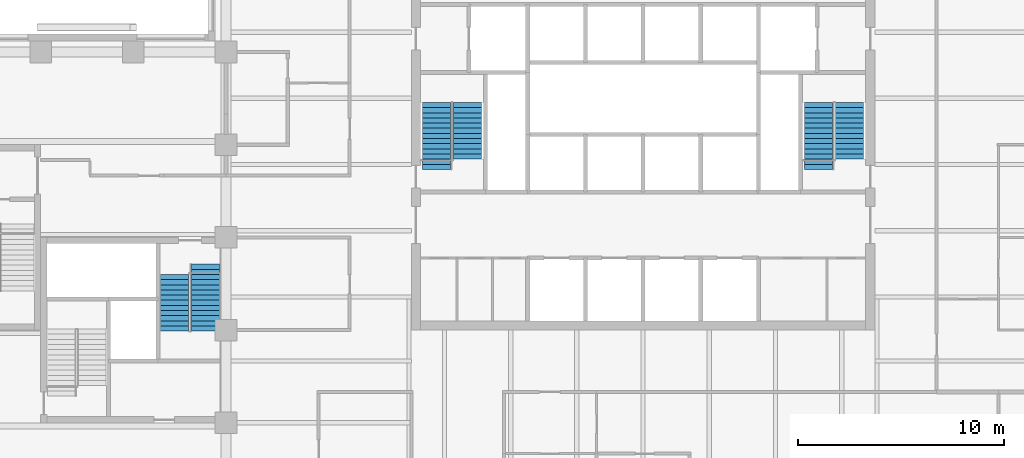
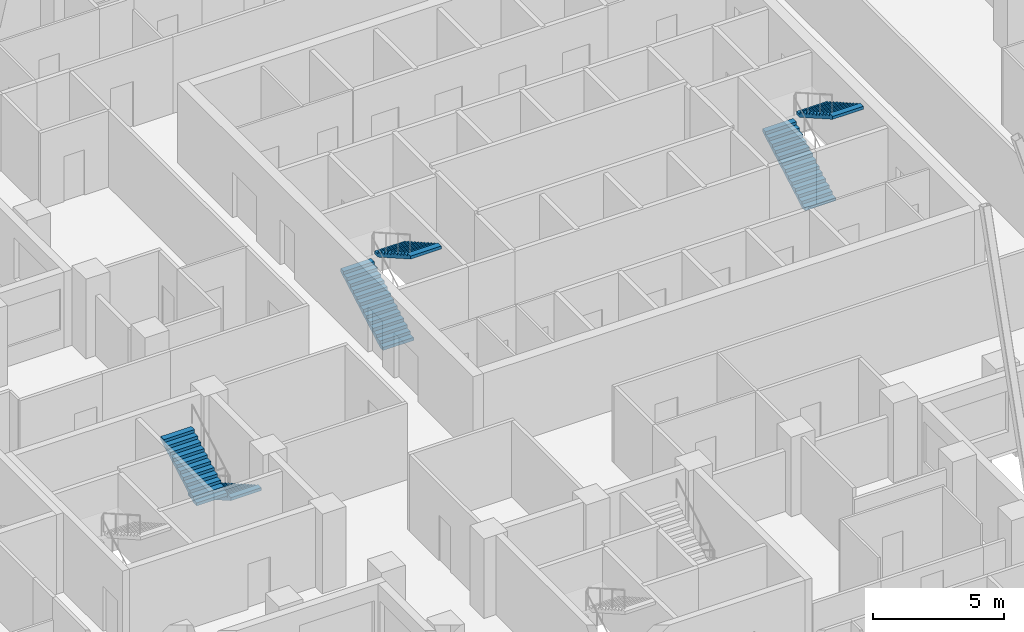
# One storey, part 10 of 11: 6 stair flights, 3 elements without a shape of their own.
"""IFC4 building model written with IfcOpenShell, lengths in metres."""

from ifc_helpers import new_model, si_unit, direction, frame, origin, place, context, subcontext, project, spatial, polyline, outline, extrude, material, type_object, element, aggregate, save


model = new_model("IFC4")

# Units and contexts
model_context = context("Model", 3, precision=1e-05, world=origin(), true_north=direction((0.0, 1.0)))
body_context = subcontext(model_context, "Body", "Model", "MODEL_VIEW")
ifc_project = project(units=[si_unit("LENGTHUNIT", "METRE"), si_unit("AREAUNIT", "SQUARE_METRE"), si_unit("VOLUMEUNIT", "CUBIC_METRE"), si_unit("PLANEANGLEUNIT", "RADIAN"), si_unit("MASSUNIT", "GRAM", prefix="KILO")], contexts=[model_context])

# Site, building, storey
site_placement = place(None, origin())
site = spatial("IfcSite", under=ifc_project, at=site_placement, CompositionType="ELEMENT")
building_placement = place(site_placement, origin())
building = spatial("IfcBuilding", under=site, at=building_placement, Name="Quoin Convention Tower", CompositionType="ELEMENT")
storey_placement = place(building_placement, frame((0.0, 0.0, 82.60009765625)))
storey = spatial("IfcBuildingStorey", under=building, at=storey_placement, Name="L21", CompositionType="ELEMENT", Elevation=82.60009765625)

# Stair, stair flights
ifc_material = material(Name="Concrete C40", Category="concrete")
stair_type = type_object("IfcStairType", Name="Exit stair two-flight 1350", PredefinedType="HALF_TURN_STAIR", material=ifc_material)
stair_1_placement = place(storey_placement, origin())
stair_1 = element("IfcStair", 1, at=stair_1_placement, inside=storey, type_object=stair_type, Name="SD1 L21", PredefinedType="HALF_TURN_STAIR")
stair_flight_type = type_object("IfcStairFlightType", Name="Stair flight 1350", PredefinedType="STRAIGHT", material=ifc_material)
stair_flight_1_placement = place(storey_placement, frame((46.22509765625, 57.300048828125, 0.0), z_axis=(0.0, 0.0, 1.0), x_axis=(0.0, 1.0, 0.0)))
stair_flight_1 = element("IfcStairFlight", 2, at=stair_flight_1_placement, type_object=stair_flight_type, Name="ST1 flight 1", NumberOfRisers=14, NumberOfTreads=13, PredefinedType="STRAIGHT", RiserHeight=0.142307692, TreadLength=0.25, context=body_context, shape_type="SweptSolid", body=[
    extrude(outline(polyline([(0.0, 0.0), (0.0, 0.142333984375), (0.25, 0.142333984375), (0.25, 0.28466796875), (0.5, 0.28466796875), (0.5, 0.427001953125), (0.75, 0.427001953125), (0.75, 0.5693359375), (1.0, 0.5693359375), (1.0, 0.71142578125), (1.25, 0.71142578125), (1.25, 0.853759765625), (1.5, 0.853759765625), (1.5, 0.99609375), (1.75, 0.99609375), (1.75, 1.138427734375), (2.0, 1.138427734375), (2.0, 1.28076171875), (2.25, 1.28076171875), (2.25, 1.423095703125), (2.5, 1.423095703125), (2.5, 1.5654296875), (2.75, 1.5654296875), (2.75, 1.707763671875), (3.0, 1.707763671875), (3.0, 1.85009765625), (3.25, 1.85009765625), (3.25, 1.9921875), (3.25, 1.711669921875), (0.242919921875, 0.0), (0.0, 0.0)])), frame((0.0, 0.675048828125, 0.0), z_axis=(0.0, -1.0, 0.0), x_axis=(1.0, 0.0, 0.0)), (0.0, 0.0, 1.0), 1.35009765625),
])
stair_flight_2_placement = place(storey_placement, frame((47.72509765625, 60.550048828125, 1.9921875), z_axis=(0.0, 0.0, 1.0), x_axis=(0.0, -1.0, 0.0)))
stair_flight_2 = element("IfcStairFlight", 3, at=stair_flight_2_placement, type_object=stair_flight_type, Name="ST1 flight 2", NumberOfRisers=12, NumberOfTreads=11, PredefinedType="STRAIGHT", RiserHeight=0.142307692, TreadLength=0.25, context=body_context, shape_type="SweptSolid", body=[
    extrude(outline(polyline([(0.0, 0.0), (0.0, 0.142333984375), (0.25, 0.142333984375), (0.25, 0.28466796875), (0.5, 0.28466796875), (0.5, 0.427001953125), (0.75, 0.427001953125), (0.75, 0.5693359375), (1.0, 0.5693359375), (1.0, 0.71142578125), (1.25, 0.71142578125), (1.25, 0.853759765625), (1.5, 0.853759765625), (1.5, 0.99609375), (1.75, 0.99609375), (1.75, 1.138427734375), (2.0, 1.138427734375), (2.0, 1.28076171875), (2.25, 1.28076171875), (2.25, 1.423095703125), (2.5, 1.423095703125), (2.5, 1.5654296875), (2.75, 1.5654296875), (2.75, 1.707763671875), (2.75, 1.42724609375), (0.242919921875, 0.0), (0.0, 0.0)])), frame((0.0, 0.675048828125, 0.0), z_axis=(0.0, -1.0, 0.0), x_axis=(1.0, 0.0, 0.0)), (0.0, 0.0, 1.0), 1.35009765625),
])
aggregate(stair_1, [stair_flight_1, stair_flight_2])

stair_2_placement = place(storey_placement, origin())
stair_2 = element("IfcStair", 4, at=stair_2_placement, inside=storey, type_object=stair_type, Name="SD2 L21", PredefinedType="HALF_TURN_STAIR")
stair_flight_3_placement = place(storey_placement, frame((64.77490234375, 57.300048828125, 0.0), z_axis=(0.0, 0.0, 1.0), x_axis=(0.0, 1.0, 0.0)))
stair_flight_3 = element("IfcStairFlight", 5, at=stair_flight_3_placement, type_object=stair_flight_type, Name="ST2 flight 1", NumberOfRisers=14, NumberOfTreads=13, PredefinedType="STRAIGHT", RiserHeight=0.142307692, TreadLength=0.25, context=body_context, shape_type="SweptSolid", body=[
    extrude(outline(polyline([(0.0, 0.0), (0.0, 0.142333984375), (0.25, 0.142333984375), (0.25, 0.28466796875), (0.5, 0.28466796875), (0.5, 0.427001953125), (0.75, 0.427001953125), (0.75, 0.5693359375), (1.0, 0.5693359375), (1.0, 0.71142578125), (1.25, 0.71142578125), (1.25, 0.853759765625), (1.5, 0.853759765625), (1.5, 0.99609375), (1.75, 0.99609375), (1.75, 1.138427734375), (2.0, 1.138427734375), (2.0, 1.28076171875), (2.25, 1.28076171875), (2.25, 1.423095703125), (2.5, 1.423095703125), (2.5, 1.5654296875), (2.75, 1.5654296875), (2.75, 1.707763671875), (3.0, 1.707763671875), (3.0, 1.85009765625), (3.25, 1.85009765625), (3.25, 1.9921875), (3.25, 1.711669921875), (0.242919921875, 0.0), (0.0, 0.0)])), frame((0.0, 0.675048828125, 0.0), z_axis=(0.0, -1.0, 0.0), x_axis=(1.0, 0.0, 0.0)), (0.0, 0.0, 1.0), 1.35009765625),
])
stair_flight_4_placement = place(storey_placement, frame((66.27490234375, 60.550048828125, 1.9921875), z_axis=(0.0, 0.0, 1.0), x_axis=(0.0, -1.0, 0.0)))
stair_flight_4 = element("IfcStairFlight", 6, at=stair_flight_4_placement, type_object=stair_flight_type, Name="ST2 flight 2", NumberOfRisers=12, NumberOfTreads=11, PredefinedType="STRAIGHT", RiserHeight=0.142307692, TreadLength=0.25, context=body_context, shape_type="SweptSolid", body=[
    extrude(outline(polyline([(0.0, 0.0), (0.0, 0.142333984375), (0.25, 0.142333984375), (0.25, 0.28466796875), (0.5, 0.28466796875), (0.5, 0.427001953125), (0.75, 0.427001953125), (0.75, 0.5693359375), (1.0, 0.5693359375), (1.0, 0.71142578125), (1.25, 0.71142578125), (1.25, 0.853759765625), (1.5, 0.853759765625), (1.5, 0.99609375), (1.75, 0.99609375), (1.75, 1.138427734375), (2.0, 1.138427734375), (2.0, 1.28076171875), (2.25, 1.28076171875), (2.25, 1.423095703125), (2.5, 1.423095703125), (2.5, 1.5654296875), (2.75, 1.5654296875), (2.75, 1.707763671875), (2.75, 1.42724609375), (0.242919921875, 0.0), (0.0, 0.0)])), frame((0.0, 0.675048828125, 0.0), z_axis=(0.0, -1.0, 0.0), x_axis=(1.0, 0.0, 0.0)), (0.0, 0.0, 1.0), 1.35009765625),
])
aggregate(stair_2, [stair_flight_3, stair_flight_4])

stair_3_placement = place(storey_placement, origin())
stair_3 = element("IfcStair", 7, at=stair_3_placement, inside=storey, type_object=stair_type, Name="SD4 L21", PredefinedType="HALF_TURN_STAIR")
stair_flight_5_placement = place(storey_placement, frame((35.0, 52.699951171875, 0.0), z_axis=(0.0, 0.0, 1.0), x_axis=(0.0, -1.0, 0.0)))
stair_flight_5 = element("IfcStairFlight", 8, at=stair_flight_5_placement, type_object=stair_flight_type, Name="ST4 flight 1", NumberOfRisers=14, NumberOfTreads=13, PredefinedType="STRAIGHT", RiserHeight=0.142307692, TreadLength=0.25, context=body_context, shape_type="SweptSolid", body=[
    extrude(outline(polyline([(0.0, 0.0), (0.0, 0.142333984375), (0.25, 0.142333984375), (0.25, 0.28466796875), (0.5, 0.28466796875), (0.5, 0.427001953125), (0.75, 0.427001953125), (0.75, 0.5693359375), (1.0, 0.5693359375), (1.0, 0.71142578125), (1.25, 0.71142578125), (1.25, 0.853759765625), (1.5, 0.853759765625), (1.5, 0.99609375), (1.75, 0.99609375), (1.75, 1.138427734375), (2.0, 1.138427734375), (2.0, 1.28076171875), (2.25, 1.28076171875), (2.25, 1.423095703125), (2.5, 1.423095703125), (2.5, 1.5654296875), (2.75, 1.5654296875), (2.75, 1.707763671875), (3.0, 1.707763671875), (3.0, 1.85009765625), (3.25, 1.85009765625), (3.25, 1.9921875), (3.25, 1.711669921875), (0.242919921875, 0.0), (0.0, 0.0)])), frame((0.0, 0.675048828125, 0.0), z_axis=(0.0, -1.0, 0.0), x_axis=(1.0, 0.0, 0.0)), (0.0, 0.0, 1.0), 1.35009765625),
])
stair_flight_6_placement = place(storey_placement, frame((33.5, 49.449951171875, 1.9921875), z_axis=(0.0, 0.0, 1.0), x_axis=(0.0, 1.0, 0.0)))
stair_flight_6 = element("IfcStairFlight", 9, at=stair_flight_6_placement, type_object=stair_flight_type, Name="ST4 flight 2", NumberOfRisers=12, NumberOfTreads=11, PredefinedType="STRAIGHT", RiserHeight=0.142307692, TreadLength=0.25, context=body_context, shape_type="SweptSolid", body=[
    extrude(outline(polyline([(0.0, 0.0), (0.0, 0.142333984375), (0.25, 0.142333984375), (0.25, 0.28466796875), (0.5, 0.28466796875), (0.5, 0.427001953125), (0.75, 0.427001953125), (0.75, 0.5693359375), (1.0, 0.5693359375), (1.0, 0.71142578125), (1.25, 0.71142578125), (1.25, 0.853759765625), (1.5, 0.853759765625), (1.5, 0.99609375), (1.75, 0.99609375), (1.75, 1.138427734375), (2.0, 1.138427734375), (2.0, 1.28076171875), (2.25, 1.28076171875), (2.25, 1.423095703125), (2.5, 1.423095703125), (2.5, 1.5654296875), (2.75, 1.5654296875), (2.75, 1.707763671875), (2.75, 1.42724609375), (0.242919921875, 0.0), (0.0, 0.0)])), frame((0.0, 0.675048828125, 0.0), z_axis=(0.0, -1.0, 0.0), x_axis=(1.0, 0.0, 0.0)), (0.0, 0.0, 1.0), 1.35009765625),
])
aggregate(stair_3, [stair_flight_5, stair_flight_6])

save(model, "model.ifc")
